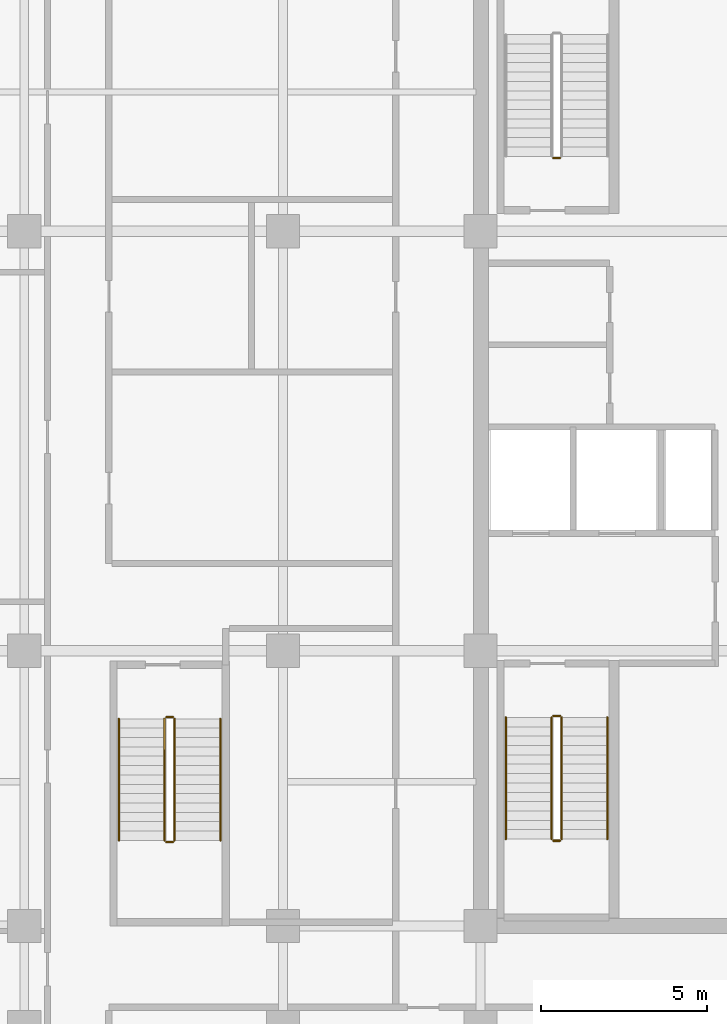
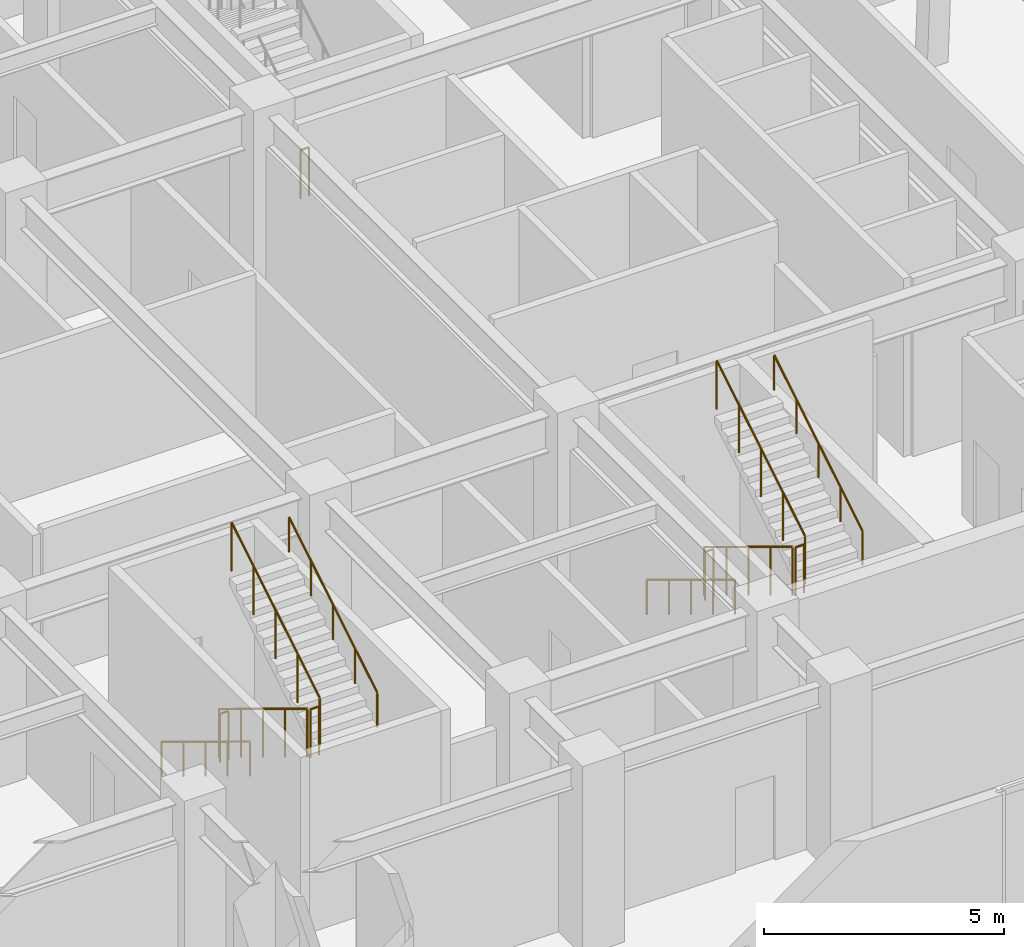
# One storey, part 10 of 12: 13 railings.
"""IFC4 building model written with IfcOpenShell, lengths in metres."""

from ifc_helpers import new_model, si_unit, direction, frame, origin, origin_2d, place, context, subcontext, project, spatial, circle, extrude, material, type_object, element, save


model = new_model("IFC4")

# Units and contexts
model_context = context("Model", 3, precision=1e-05, world=origin(), true_north=direction((0.0, 1.0)))
body_context = subcontext(model_context, "Body", "Model", "MODEL_VIEW")
ifc_project = project(units=[si_unit("LENGTHUNIT", "METRE"), si_unit("AREAUNIT", "SQUARE_METRE"), si_unit("VOLUMEUNIT", "CUBIC_METRE"), si_unit("PLANEANGLEUNIT", "RADIAN"), si_unit("MASSUNIT", "GRAM", prefix="KILO")], contexts=[model_context])

# Site, building, storey
site_placement = place(None, origin())
site = spatial("IfcSite", under=ifc_project, at=site_placement, CompositionType="ELEMENT")
building_placement = place(site_placement, origin())
building = spatial("IfcBuilding", under=site, at=building_placement, Name="Ochreholt Gables", CompositionType="ELEMENT")
storey_placement = place(building_placement, frame((0.0, 0.0, 9.60009765625)))
storey = spatial("IfcBuildingStorey", under=building, at=storey_placement, Name="L02", CompositionType="ELEMENT", Elevation=9.60009765625)

# Railings
ifc_material_1 = material(Name="Painted Steel Stair Guardrail", Category="steel")
railing_type_1 = type_object("IfcRailingType", Name="RL-ST-GUARD", PredefinedType="GUARDRAIL", material=ifc_material_1)
railing_1_placement = place(storey_placement, frame((26.35009765625, 15.5400390625, 0.17138671875)))
element("IfcRailing", 1, at=railing_1_placement, inside=storey, type_object=railing_type_1, Name="L02 ST-1 stair guard 1", PredefinedType="GUARDRAIL", context=body_context, shape_type="SweptSolid", body=[
    extrude(circle(Radius=0.02392578125, at=origin_2d()), frame((0.0, 0.0, 1.22607421875), z_axis=(0.0, -0.85450609292, 0.519441370283), x_axis=(1.0, 0.0, 0.0)), (0.0, 0.0, 1.0), 4.290283203125),
    extrude(circle(Radius=0.02099609375, at=origin_2d()), origin(), (0.0, 0.0, 1.0), 1.201904296875),
    extrude(circle(Radius=0.02099609375, at=origin_2d()), frame((0.0, -0.91650390625, 0.55712890625)), (0.0, 0.0, 1.0), 1.201904296875),
    extrude(circle(Radius=0.02099609375, at=origin_2d()), frame((0.0, -1.8330078125, 1.1142578125)), (0.0, 0.0, 1.0), 1.201904296875),
    extrude(circle(Radius=0.02099609375, at=origin_2d()), frame((0.0, -2.74951171875, 1.67138671875)), (0.0, 0.0, 1.0), 1.201904296875),
    extrude(circle(Radius=0.02099609375, at=origin_2d()), frame((0.0, -3.666015625, 2.228515625)), (0.0, 0.0, 1.0), 1.201904296875),
])
railing_2_placement = place(storey_placement, frame((26.39990234375, 11.823974609375, 2.39990234375)))
element("IfcRailing", 2, at=railing_2_placement, inside=storey, type_object=railing_type_1, Name="L02 ST-1 stair guard 2", PredefinedType="GUARDRAIL", context=body_context, shape_type="SweptSolid", body=[
    extrude(circle(Radius=0.02392578125, at=origin_2d()), frame((0.0, 0.0, 1.22607421875), z_axis=(1.0, 0.0, 0.0), x_axis=(0.0, 1.0, 0.0)), (0.0, 0.0, 1.0), 0.2001953125),
    extrude(circle(Radius=0.02099609375, at=origin_2d()), origin(), (0.0, 0.0, 1.0), 1.201904296875),
    extrude(circle(Radius=0.02099609375, at=origin_2d()), frame((0.2001953125, 0.0, 0.0)), (0.0, 0.0, 1.0), 1.201904296875),
])
railing_3_placement = place(storey_placement, frame((26.64990234375, 11.8740234375, 2.5712890625)))
element("IfcRailing", 3, at=railing_3_placement, inside=storey, type_object=railing_type_1, Name="L02 ST-1 stair guard 3", PredefinedType="GUARDRAIL", context=body_context, shape_type="SweptSolid", body=[
    extrude(circle(Radius=0.02392578125, at=origin_2d()), frame((0.0, 0.0, 1.22607421875), z_axis=(0.0, 0.85450609292, 0.519441370283), x_axis=(-1.0, 0.0, 0.0)), (0.0, 0.0, 1.0), 4.290283203125),
    extrude(circle(Radius=0.02099609375, at=origin_2d()), origin(), (0.0, 0.0, 1.0), 1.201904296875),
    extrude(circle(Radius=0.02099609375, at=origin_2d()), frame((0.0, 0.91650390625, 0.55712890625)), (0.0, 0.0, 1.0), 1.201904296875),
    extrude(circle(Radius=0.02099609375, at=origin_2d()), frame((0.0, 1.8330078125, 1.1142578125)), (0.0, 0.0, 1.0), 1.201904296875),
    extrude(circle(Radius=0.02099609375, at=origin_2d()), frame((0.0, 2.74951171875, 1.67138671875)), (0.0, 0.0, 1.0), 1.201904296875),
    extrude(circle(Radius=0.02099609375, at=origin_2d()), frame((0.0, 3.666015625, 2.228515625)), (0.0, 0.0, 1.0), 1.201904296875),
])
railing_4_placement = place(storey_placement, frame((26.39990234375, 15.590087890625, 0.0)))
element("IfcRailing", 4, at=railing_4_placement, inside=storey, type_object=railing_type_1, Name="L02 ST-1 stair guard 4", PredefinedType="GUARDRAIL", context=body_context, shape_type="SweptSolid", body=[
    extrude(circle(Radius=0.02392578125, at=origin_2d()), frame((0.0, 0.0, 1.22607421875), z_axis=(1.0, 0.0, 0.0), x_axis=(0.0, 1.0, 0.0)), (0.0, 0.0, 1.0), 0.2001953125),
    extrude(circle(Radius=0.02099609375, at=origin_2d()), origin(), (0.0, 0.0, 1.0), 1.201904296875),
    extrude(circle(Radius=0.02099609375, at=origin_2d()), frame((0.2001953125, 0.0, 0.0)), (0.0, 0.0, 1.0), 1.201904296875),
])
railing_5_placement = place(storey_placement, frame((26.60009765625, 32.409912109375, 0.0)))
element("IfcRailing", 5, at=railing_5_placement, inside=storey, type_object=railing_type_1, Name="L02 ST-2 stair guard 4", PredefinedType="GUARDRAIL", context=body_context, shape_type="SweptSolid", body=[
    extrude(circle(Radius=0.02392578125, at=origin_2d()), frame((0.0, 0.0, 1.22607421875), z_axis=(-1.0, 0.0, 0.0), x_axis=(0.0, -1.0, 0.0)), (0.0, 0.0, 1.0), 0.2001953125),
    extrude(circle(Radius=0.02099609375, at=origin_2d()), origin(), (0.0, 0.0, 1.0), 1.201904296875),
    extrude(circle(Radius=0.02099609375, at=origin_2d()), frame((-0.2001953125, 0.0, 0.0)), (0.0, 0.0, 1.0), 1.201904296875),
])
railing_6_placement = place(storey_placement, frame((14.679931640625, 15.5, 0.17138671875)))
element("IfcRailing", 6, at=railing_6_placement, inside=storey, type_object=railing_type_1, Name="L02 ST-P1 stair guard 1", PredefinedType="GUARDRAIL", context=body_context, shape_type="SweptSolid", body=[
    extrude(circle(Radius=0.02392578125, at=origin_2d()), frame((0.0, 0.0, 1.22607421875), z_axis=(0.0, -0.85450609292, 0.519441370283), x_axis=(1.0, 0.0, 0.0)), (0.0, 0.0, 1.0), 4.290283203125),
    extrude(circle(Radius=0.02099609375, at=origin_2d()), origin(), (0.0, 0.0, 1.0), 1.201904296875),
    extrude(circle(Radius=0.02099609375, at=origin_2d()), frame((0.0, -0.91650390625, 0.55712890625)), (0.0, 0.0, 1.0), 1.201904296875),
    extrude(circle(Radius=0.02099609375, at=origin_2d()), frame((0.0, -1.8330078125, 1.1142578125)), (0.0, 0.0, 1.0), 1.201904296875),
    extrude(circle(Radius=0.02099609375, at=origin_2d()), frame((0.0, -2.74951171875, 1.67138671875)), (0.0, 0.0, 1.0), 1.201904296875),
    extrude(circle(Radius=0.02099609375, at=origin_2d()), frame((0.0, -3.666015625, 2.228515625)), (0.0, 0.0, 1.0), 1.201904296875),
])
railing_7_placement = place(storey_placement, frame((14.72998046875, 11.783935546875, 2.39990234375)))
element("IfcRailing", 7, at=railing_7_placement, inside=storey, type_object=railing_type_1, Name="L02 ST-P1 stair guard 2", PredefinedType="GUARDRAIL", context=body_context, shape_type="SweptSolid", body=[
    extrude(circle(Radius=0.02392578125, at=origin_2d()), frame((0.0, 0.0, 1.22607421875), z_axis=(1.0, 0.0, 0.0), x_axis=(0.0, 1.0, 0.0)), (0.0, 0.0, 1.0), 0.199951171875),
    extrude(circle(Radius=0.02099609375, at=origin_2d()), origin(), (0.0, 0.0, 1.0), 1.201904296875),
    extrude(circle(Radius=0.02099609375, at=origin_2d()), frame((0.199951171875, 0.0, 0.0)), (0.0, 0.0, 1.0), 1.201904296875),
])
railing_8_placement = place(storey_placement, frame((14.97998046875, 11.833984375, 2.5712890625)))
element("IfcRailing", 8, at=railing_8_placement, inside=storey, type_object=railing_type_1, Name="L02 ST-P1 stair guard 3", PredefinedType="GUARDRAIL", context=body_context, shape_type="SweptSolid", body=[
    extrude(circle(Radius=0.02392578125, at=origin_2d()), frame((0.0, 0.0, 1.22607421875), z_axis=(0.0, 0.85450609292, 0.519441370283), x_axis=(-1.0, 0.0, 0.0)), (0.0, 0.0, 1.0), 4.290283203125),
    extrude(circle(Radius=0.02099609375, at=origin_2d()), origin(), (0.0, 0.0, 1.0), 1.201904296875),
    extrude(circle(Radius=0.02099609375, at=origin_2d()), frame((0.0, 0.91650390625, 0.55712890625)), (0.0, 0.0, 1.0), 1.201904296875),
    extrude(circle(Radius=0.02099609375, at=origin_2d()), frame((0.0, 1.8330078125, 1.1142578125)), (0.0, 0.0, 1.0), 1.201904296875),
    extrude(circle(Radius=0.02099609375, at=origin_2d()), frame((0.0, 2.74951171875, 1.67138671875)), (0.0, 0.0, 1.0), 1.201904296875),
    extrude(circle(Radius=0.02099609375, at=origin_2d()), frame((0.0, 3.666015625, 2.228515625)), (0.0, 0.0, 1.0), 1.201904296875),
])
railing_9_placement = place(storey_placement, frame((14.72998046875, 15.550048828125, 0.0)))
element("IfcRailing", 9, at=railing_9_placement, inside=storey, type_object=railing_type_1, Name="L02 ST-P1 stair guard 4", PredefinedType="GUARDRAIL", context=body_context, shape_type="SweptSolid", body=[
    extrude(circle(Radius=0.02392578125, at=origin_2d()), frame((0.0, 0.0, 1.22607421875), z_axis=(1.0, 0.0, 0.0), x_axis=(0.0, 1.0, 0.0)), (0.0, 0.0, 1.0), 0.199951171875),
    extrude(circle(Radius=0.02099609375, at=origin_2d()), origin(), (0.0, 0.0, 1.0), 1.201904296875),
    extrude(circle(Radius=0.02099609375, at=origin_2d()), frame((0.199951171875, 0.0, 0.0)), (0.0, 0.0, 1.0), 1.201904296875),
])
ifc_material_2 = material(Name="Brushed Stainless Steel Wall Handrail", Category="steel")
railing_type_2 = type_object("IfcRailingType", Name="RL-ST-HAND", PredefinedType="HANDRAIL", material=ifc_material_2)
railing_10_placement = place(storey_placement, frame((24.969970703125, 15.5400390625, 0.17138671875)))
element("IfcRailing", 10, at=railing_10_placement, inside=storey, type_object=railing_type_2, Name="L02 ST-1 stair handrail 1", PredefinedType="HANDRAIL", context=body_context, shape_type="SweptSolid", body=[
    extrude(circle(Radius=0.02392578125, at=origin_2d()), frame((0.0, 0.0, 0.8759765625), z_axis=(0.0, -0.85450609292, 0.519441370283), x_axis=(1.0, 0.0, 0.0)), (0.0, 0.0, 1.0), 4.290283203125),
    extrude(circle(Radius=0.02099609375, at=origin_2d()), origin(), (0.0, 0.0, 1.0), 0.851806640625),
    extrude(circle(Radius=0.02099609375, at=origin_2d()), frame((0.0, -0.91650390625, 0.55712890625)), (0.0, 0.0, 1.0), 0.851806640625),
    extrude(circle(Radius=0.02099609375, at=origin_2d()), frame((0.0, -1.8330078125, 1.1142578125)), (0.0, 0.0, 1.0), 0.851806640625),
    extrude(circle(Radius=0.02099609375, at=origin_2d()), frame((0.0, -2.74951171875, 1.67138671875)), (0.0, 0.0, 1.0), 0.851806640625),
    extrude(circle(Radius=0.02099609375, at=origin_2d()), frame((0.0, -3.666015625, 2.228515625)), (0.0, 0.0, 1.0), 0.851806640625),
])
railing_11_placement = place(storey_placement, frame((28.030029296875, 11.8740234375, 2.5712890625)))
element("IfcRailing", 11, at=railing_11_placement, inside=storey, type_object=railing_type_2, Name="L02 ST-1 stair handrail 2", PredefinedType="HANDRAIL", context=body_context, shape_type="SweptSolid", body=[
    extrude(circle(Radius=0.02392578125, at=origin_2d()), frame((0.0, 0.0, 0.8759765625), z_axis=(0.0, 0.85450609292, 0.519441370283), x_axis=(-1.0, 0.0, 0.0)), (0.0, 0.0, 1.0), 4.290283203125),
    extrude(circle(Radius=0.02099609375, at=origin_2d()), origin(), (0.0, 0.0, 1.0), 0.851806640625),
    extrude(circle(Radius=0.02099609375, at=origin_2d()), frame((0.0, 0.91650390625, 0.55712890625)), (0.0, 0.0, 1.0), 0.851806640625),
    extrude(circle(Radius=0.02099609375, at=origin_2d()), frame((0.0, 1.8330078125, 1.1142578125)), (0.0, 0.0, 1.0), 0.851806640625),
    extrude(circle(Radius=0.02099609375, at=origin_2d()), frame((0.0, 2.74951171875, 1.67138671875)), (0.0, 0.0, 1.0), 0.851806640625),
    extrude(circle(Radius=0.02099609375, at=origin_2d()), frame((0.0, 3.666015625, 2.228515625)), (0.0, 0.0, 1.0), 0.851806640625),
])
railing_12_placement = place(storey_placement, frame((13.300048828125, 15.5, 0.17138671875)))
element("IfcRailing", 12, at=railing_12_placement, inside=storey, type_object=railing_type_2, Name="L02 ST-P1 stair handrail 1", PredefinedType="HANDRAIL", context=body_context, shape_type="SweptSolid", body=[
    extrude(circle(Radius=0.02392578125, at=origin_2d()), frame((0.0, 0.0, 0.8759765625), z_axis=(0.0, -0.85450609292, 0.519441370283), x_axis=(1.0, 0.0, 0.0)), (0.0, 0.0, 1.0), 4.290283203125),
    extrude(circle(Radius=0.02099609375, at=origin_2d()), origin(), (0.0, 0.0, 1.0), 0.851806640625),
    extrude(circle(Radius=0.02099609375, at=origin_2d()), frame((0.0, -0.91650390625, 0.55712890625)), (0.0, 0.0, 1.0), 0.851806640625),
    extrude(circle(Radius=0.02099609375, at=origin_2d()), frame((0.0, -1.8330078125, 1.1142578125)), (0.0, 0.0, 1.0), 0.851806640625),
    extrude(circle(Radius=0.02099609375, at=origin_2d()), frame((0.0, -2.74951171875, 1.67138671875)), (0.0, 0.0, 1.0), 0.851806640625),
    extrude(circle(Radius=0.02099609375, at=origin_2d()), frame((0.0, -3.666015625, 2.228515625)), (0.0, 0.0, 1.0), 0.851806640625),
])
railing_13_placement = place(storey_placement, frame((16.360107421875, 11.833984375, 2.5712890625)))
element("IfcRailing", 13, at=railing_13_placement, inside=storey, type_object=railing_type_2, Name="L02 ST-P1 stair handrail 2", PredefinedType="HANDRAIL", context=body_context, shape_type="SweptSolid", body=[
    extrude(circle(Radius=0.02392578125, at=origin_2d()), frame((0.0, 0.0, 0.8759765625), z_axis=(0.0, 0.85450609292, 0.519441370283), x_axis=(-1.0, 0.0, 0.0)), (0.0, 0.0, 1.0), 4.290283203125),
    extrude(circle(Radius=0.02099609375, at=origin_2d()), origin(), (0.0, 0.0, 1.0), 0.851806640625),
    extrude(circle(Radius=0.02099609375, at=origin_2d()), frame((0.0, 0.91650390625, 0.55712890625)), (0.0, 0.0, 1.0), 0.851806640625),
    extrude(circle(Radius=0.02099609375, at=origin_2d()), frame((0.0, 1.8330078125, 1.1142578125)), (0.0, 0.0, 1.0), 0.851806640625),
    extrude(circle(Radius=0.02099609375, at=origin_2d()), frame((0.0, 2.74951171875, 1.67138671875)), (0.0, 0.0, 1.0), 0.851806640625),
    extrude(circle(Radius=0.02099609375, at=origin_2d()), frame((0.0, 3.666015625, 2.228515625)), (0.0, 0.0, 1.0), 0.851806640625),
])

save(model, "model.ifc")
